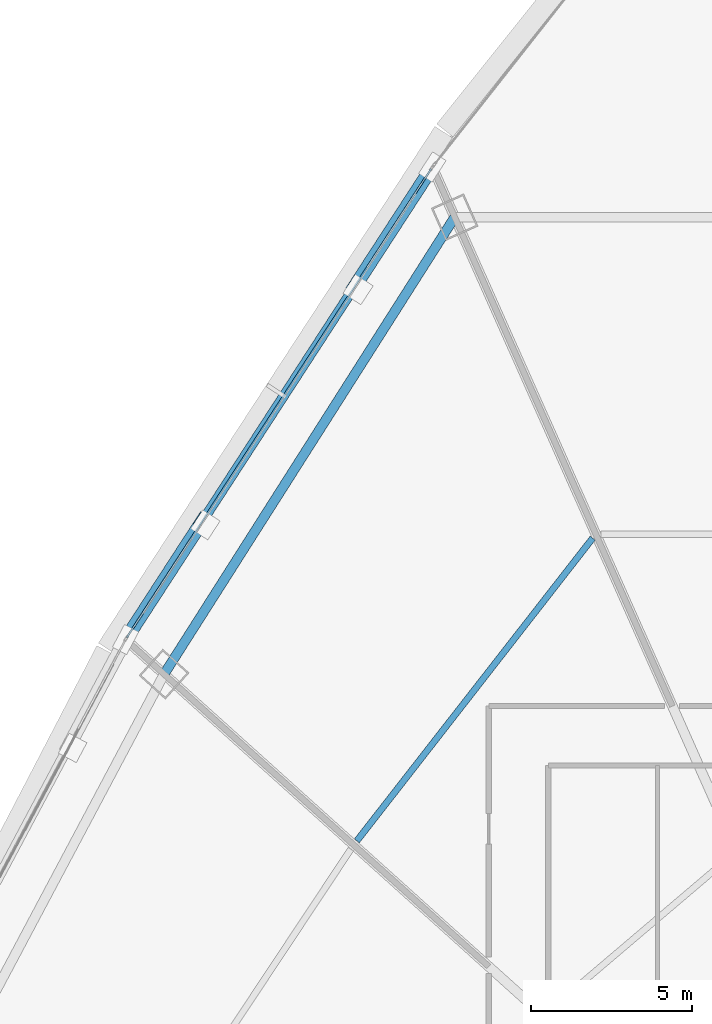
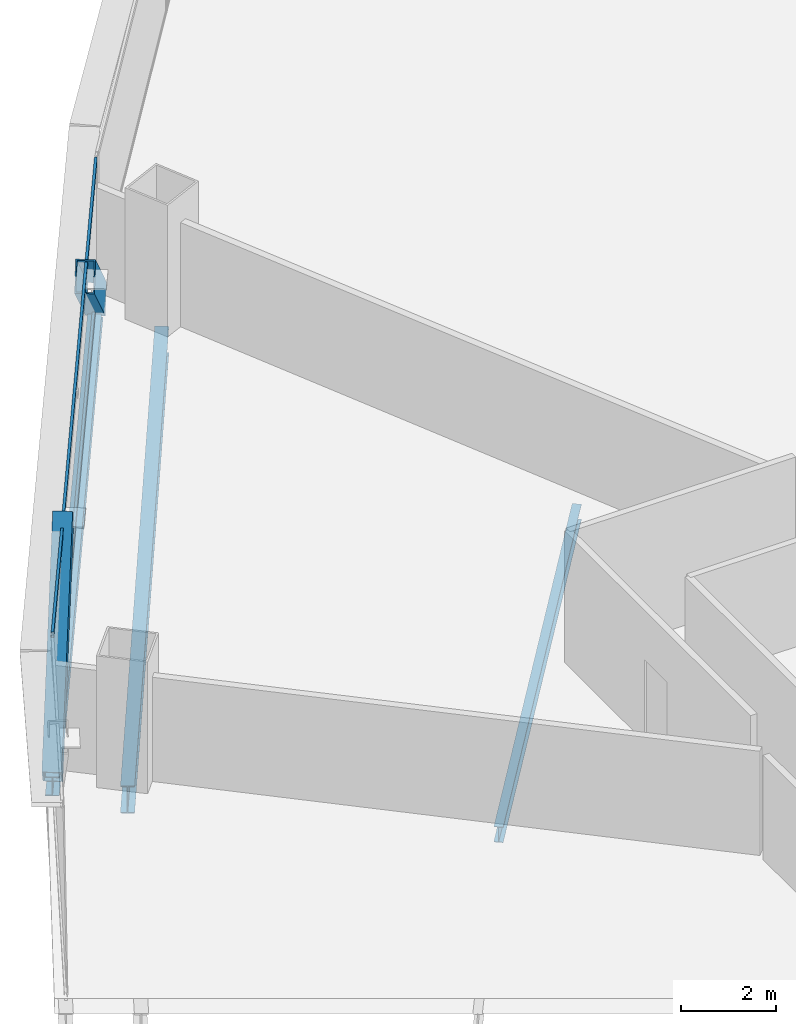
# One storey, part 17 of 42: 4 members, 3 beams, 1 element without a shape of its own.
"""IFC4 building model written with IfcOpenShell, lengths in metres."""

import ifcopenshell
import ifcopenshell.guid

model = None  # the IFC model being written
_history = None  # IfcOwnerHistory: only IFC2X3 demands one
_inside = {}  # id of a spatial element -> (the spatial element, [elements in it])
_under = {}  # id of a project, library or spatial element -> (it, [spatial elements below it])
_declared = {}  # id of a project -> (the project, [libraries it declares])
_typed = {}  # id of a type object -> (the type object, [elements of that type])
_made_of = {}  # id of a material, layer set ... -> (it, [elements and type objects made of it])


def new_model(schema):
    """Start an empty IFC model of exactly this schema.

    Asked for "IFC4X3", IfcOpenShell would pick the latest addendum, in which some entities
    have other attributes; the version numbers below select the first issue.
    IFC2X3 requires an IfcOwnerHistory on every rooted entity: one is made here for all.
    """
    global model, _history
    if schema == "IFC4X3":
        model = ifcopenshell.file(schema_version=(4, 3, 0, 0))
    else:
        model = ifcopenshell.file(schema=schema)
    _inside.clear()
    _under.clear()
    _declared.clear()
    _typed.clear()
    _made_of.clear()
    _history = None
    if model.schema == "IFC2X3":
        org = make("IfcOrganization", Name="unknown")
        user = make(
            "IfcPersonAndOrganization",
            ThePerson=make("IfcPerson", FamilyName="unknown"),
            TheOrganization=org,
        )
        app = make(
            "IfcApplication",
            ApplicationDeveloper=org,
            Version="unknown",
            ApplicationFullName="unknown",
            ApplicationIdentifier="unknown",
        )
        _history = make(
            "IfcOwnerHistory",
            OwningUser=user,
            OwningApplication=app,
            ChangeAction="ADDED",
            CreationDate=0,
        )
    return model


def make(cls, **values):
    """One entity of the class cls with the attributes given. An attribute that is None is left unset."""
    return model.create_entity(
        cls, **{name: value for name, value in values.items() if value is not None}
    )


def rooted(cls, **values):
    """An entity with a GlobalId (a new one), such as an element, a storey or a relation."""
    return make(cls, GlobalId=ifcopenshell.guid.new(), OwnerHistory=_history, **values)


def si_unit(unit_type, name, prefix=None):
    """IfcSIUnit, for example si_unit("LENGTHUNIT", "METRE", prefix="MILLI")."""
    return make("IfcSIUnit", UnitType=unit_type, Prefix=prefix, Name=name)


def assignment(units):
    """IfcUnitAssignment: the units of a project."""
    return None if units is None else make("IfcUnitAssignment", Units=units)


def point(xyz):
    """IfcCartesianPoint."""
    return None if xyz is None else make("IfcCartesianPoint", Coordinates=xyz)


def direction(xyz):
    """IfcDirection."""
    return None if xyz is None else make("IfcDirection", DirectionRatios=xyz)


def frame(location, z_axis=None, x_axis=None):
    """IfcAxis2Placement3D, a coordinate frame: its origin and axes. An axis left out is left unset."""
    return make(
        "IfcAxis2Placement3D",
        Location=point(location),
        Axis=direction(z_axis),
        RefDirection=direction(x_axis),
    )


def frame_2d(location, x_axis=None):
    """IfcAxis2Placement2D, a coordinate frame in the plane: its origin and x axis."""
    return make(
        "IfcAxis2Placement2D", Location=point(location), RefDirection=direction(x_axis)
    )


def origin():
    """The frame at (0, 0, 0) with its axes left unset."""
    return frame((0.0, 0.0, 0.0))


def origin_2d():
    """The frame at (0, 0) in the plane with its x axis left unset."""
    return frame_2d((0.0, 0.0))


def place(relative_to, where):
    """IfcLocalPlacement: puts the frame where relative to a parent placement (None: the world)."""
    return make(
        "IfcLocalPlacement", PlacementRelTo=relative_to, RelativePlacement=where
    )


def context(
    kind, dimensions, precision=None, world=None, true_north=None, identifier=None
):
    """IfcGeometricRepresentationContext, for example the 3D "Model" context."""
    return make(
        "IfcGeometricRepresentationContext",
        ContextIdentifier=identifier,
        ContextType=kind,
        CoordinateSpaceDimension=dimensions,
        Precision=precision,
        WorldCoordinateSystem=world,
        TrueNorth=true_north,
    )


def subcontext(parent, identifier, kind, view, scale=None):
    """IfcGeometricRepresentationSubContext, for example "Body" below "Model"."""
    return make(
        "IfcGeometricRepresentationSubContext",
        ContextIdentifier=identifier,
        ContextType=kind,
        ParentContext=parent,
        TargetScale=scale,
        TargetView=view,
    )


def project(units=None, contexts=None):
    """IfcProject with its units and contexts."""
    return rooted(
        "IfcProject",
        Name="project",
        RepresentationContexts=contexts,
        UnitsInContext=assignment(units),
    )


def spatial(cls, under=None, at=None, **own):
    """A site, building, storey or space (cls), placed at a placement, below another one or the project."""
    s = rooted(cls, ObjectPlacement=at, **own)
    if under is not None:
        _under.setdefault(under.id(), (under, []))[1].append(s)
    return s


def profile(cls, at=None, kind="AREA", **sizes):
    """A parametric profile (cls). Its sizes go by their IFC names, for example OverallWidth=200.0."""
    return make(cls, ProfileType=kind, Position=at, **sizes)


def hollow_rectangle(**sizes):
    """IfcRectangleHollowProfileDef."""
    return profile("IfcRectangleHollowProfileDef", **sizes)


def i_section(**sizes):
    """IfcIShapeProfileDef."""
    return profile("IfcIShapeProfileDef", **sizes)


def extrude(swept, where, along, depth):
    """IfcExtrudedAreaSolid: the profile swept, set in the frame where, extruded along a direction by depth."""
    return make(
        "IfcExtrudedAreaSolid",
        SweptArea=swept,
        Position=where,
        ExtrudedDirection=direction(along),
        Depth=depth,
    )


def shape(context_of_items, identifier, shape_type, items):
    """IfcShapeRepresentation: the items that make up one representation, for example the "Body"."""
    return make(
        "IfcShapeRepresentation",
        ContextOfItems=context_of_items,
        RepresentationIdentifier=identifier,
        RepresentationType=shape_type,
        Items=items,
    )


def source(mapping_origin, context_of_items, identifier, shape_type, items):
    """IfcRepresentationMap: a shape defined once, which mapped items show again and again."""
    return make(
        "IfcRepresentationMap",
        MappingOrigin=mapping_origin,
        MappedRepresentation=shape(context_of_items, identifier, shape_type, items),
    )


def transform(
    local_origin,
    x_axis=None,
    y_axis=None,
    z_axis=None,
    scale=None,
    scale2=None,
    scale3=None,
    uniform=True,
):
    """IfcCartesianTransformationOperator3D, or its non-uniform kind. x_axis, y_axis, z_axis: its Axis1, 2, 3."""
    if uniform:
        return make(
            "IfcCartesianTransformationOperator3D",
            Axis1=direction(x_axis),
            Axis2=direction(y_axis),
            LocalOrigin=point(local_origin),
            Scale=scale,
            Axis3=direction(z_axis),
        )
    return make(
        "IfcCartesianTransformationOperator3DnonUniform",
        Axis1=direction(x_axis),
        Axis2=direction(y_axis),
        LocalOrigin=point(local_origin),
        Scale=scale,
        Axis3=direction(z_axis),
        Scale2=scale2,
        Scale3=scale3,
    )


def mapped(mapping_source, mapping_target):
    """IfcMappedItem: shows the shape of a source again, moved by a transform."""
    return make(
        "IfcMappedItem", MappingSource=mapping_source, MappingTarget=mapping_target
    )


def material(Name=None, Category=None):
    """IfcMaterial."""
    return make("IfcMaterial", Name=Name, Category=Category)


def layer(
    of_material, thickness, ventilated=None, Name=None, Category=None, Priority=None
):
    """IfcMaterialLayer: one layer of a wall or slab, of a material (None: an air gap)."""
    return make(
        "IfcMaterialLayer",
        Material=of_material,
        LayerThickness=thickness,
        IsVentilated=ventilated,
        Name=Name,
        Category=Category,
        Priority=Priority,
    )


def layer_set(layers, Name=None):
    """IfcMaterialLayerSet."""
    return make("IfcMaterialLayerSet", MaterialLayers=layers, LayerSetName=Name)


def material_profile(
    of_material, cross_section, Name=None, Category=None, Priority=None
):
    """IfcMaterialProfile: a cross section and its material."""
    return make(
        "IfcMaterialProfile",
        Name=Name,
        Material=of_material,
        Profile=cross_section,
        Priority=Priority,
        Category=Category,
    )


def profile_set(profiles, Name=None, composite=None):
    """IfcMaterialProfileSet."""
    return make(
        "IfcMaterialProfileSet",
        Name=Name,
        MaterialProfiles=profiles,
        CompositeProfile=composite,
    )


def made_of(thing, what):
    """Note that an element or type object is made of a material, layer set ...; save() writes the relation."""
    if what is not None:
        _made_of.setdefault(what.id(), (what, []))[1].append(thing)
    return thing


def type_object(cls, material=None, **own):
    """A type object (cls), such as IfcWallType, which elements share."""
    return made_of(rooted(cls, **own), material)


def element(
    cls,
    number,
    at=None,
    inside=None,
    cuts=None,
    type_object=None,
    material=None,
    context=None,
    identifier="Body",
    shape_type=None,
    held_by="IfcProductDefinitionShape",
    body=None,
    shapes=None,
    **own,
):
    """One element of the class cls, such as IfcWall. Its Tag is "e" and its number.

    at: its placement. inside: the storey or other place that contains it. cuts: it is an
    opening in that element (IfcRelVoidsElement). A single representation is given by context,
    identifier, shape_type and body (its items); several are given by shapes. held_by: the class
    of the entity that holds the representations. save() writes the other relations.
    """
    e = rooted(cls, Tag="e%d" % number, ObjectPlacement=at, **own)
    if body is not None:
        shapes = [shape(context, identifier, shape_type, body)]
    if shapes is not None:
        e.Representation = make(held_by, Representations=shapes)
    if inside is not None:
        _inside.setdefault(inside.id(), (inside, []))[1].append(e)
    if cuts is not None:
        rooted(
            "IfcRelVoidsElement", RelatingBuildingElement=cuts, RelatedOpeningElement=e
        )
    if type_object is not None:
        _typed.setdefault(type_object.id(), (type_object, []))[1].append(e)
    return made_of(e, material)


def aggregate(whole, parts):
    """IfcRelAggregates: a whole, such as a stair, and the parts it consists of."""
    return rooted("IfcRelAggregates", RelatingObject=whole, RelatedObjects=parts)


def save(model, path):
    """Write the relations noted so far, then the file.

    IfcRelAggregates (storeys below a building ...), IfcRelContainedInSpatialStructure (elements
    in a storey), IfcRelDefinesByType, IfcRelAssociatesMaterial and IfcRelDeclares: one each for
    every whole, place, type object, material and project.
    """
    for whole, parts in _under.values():
        aggregate(whole, parts)
    for where, things in _inside.values():
        rooted(
            "IfcRelContainedInSpatialStructure",
            RelatedElements=things,
            RelatingStructure=where,
        )
    for kind, things in _typed.values():
        rooted("IfcRelDefinesByType", RelatedObjects=things, RelatingType=kind)
    for what, things in _made_of.values():
        rooted("IfcRelAssociatesMaterial", RelatedObjects=things, RelatingMaterial=what)
    for by, libraries in _declared.values():
        rooted("IfcRelDeclares", RelatingContext=by, RelatedDefinitions=libraries)
    model.write(path)


model = new_model("IFC4")

# Units and contexts
model_context = context("Model", 3, precision=1e-05, world=origin(), true_north=direction((0.0, 1.0)))
body_context = subcontext(model_context, "Body", "Model", "MODEL_VIEW")
ifc_project = project(units=[si_unit("LENGTHUNIT", "METRE"), si_unit("AREAUNIT", "SQUARE_METRE"), si_unit("VOLUMEUNIT", "CUBIC_METRE"), si_unit("PLANEANGLEUNIT", "RADIAN"), si_unit("MASSUNIT", "GRAM", prefix="KILO"), si_unit("THERMODYNAMICTEMPERATUREUNIT", "KELVIN"), si_unit("POWERUNIT", "WATT")], contexts=[model_context])

# Site, building, storey
site_placement = place(None, origin())
site = spatial("IfcSite", under=ifc_project, at=site_placement, CompositionType="ELEMENT")
building_placement = place(site_placement, origin())
building = spatial("IfcBuilding", under=site, at=building_placement, Name="Yunzhuo Pagoda Commons", CompositionType="ELEMENT")
storey_placement = place(building_placement, frame((0.0, 0.0, 48.550048828125)))
storey = spatial("IfcBuildingStorey", under=building, at=storey_placement, Name="L12", CompositionType="ELEMENT", Elevation=48.550048828125)

# Beams
ifc_material_1 = material(Name="Structural steel Q355B", Category="steel")
ifc_material_profile_1 = material_profile(ifc_material_1, i_section(OverallWidth=0.300048828125, OverallDepth=0.699951171875, WebThickness=0.012939453125, FlangeThickness=0.02392578125, at=origin_2d()), Name="Structural steel Q355B")
ifc_profile_set_1 = profile_set([ifc_material_profile_1], Name="Structural steel Q355B")
beam_type_1 = type_object("IfcBeamType", Name="B-RG1 Beam HN 700x300x13x24", PredefinedType="BEAM", material=ifc_profile_set_1)
shared_shape_1 = source(origin(), body_context, "Body", "SweptSolid", [
    extrude(i_section(OverallWidth=0.300048828125, OverallDepth=0.699951171875, WebThickness=0.012939453125, FlangeThickness=0.02392578125, at=origin_2d()), origin(), (0.0, 0.0, 1.0), 16.843994140625),
])
beam_1_placement = place(storey_placement, frame((31.38916015625, 71.008544921875, -0.610107421875), z_axis=(-0.536558458992, -0.843863152462, 0.0), x_axis=(0.843863152462, -0.536558458992, 0.0)))
element("IfcBeam", 1, at=beam_1_placement, inside=storey, type_object=beam_type_1, Name="L12 column-ring beam 9", PredefinedType="BEAM", context=body_context, shape_type="MappedRepresentation", body=[
    mapped(shared_shape_1, transform((0.0, 0.0, 0.0), scale=1.0)),
])
ifc_material_profile_2 = material_profile(ifc_material_1, i_section(OverallWidth=0.199951171875, OverallDepth=0.39990234375, WebThickness=0.008056640625, FlangeThickness=0.012939453125, at=origin_2d()), Name="Structural steel Q355B")
ifc_profile_set_2 = profile_set([ifc_material_profile_2], Name="Structural steel Q355B")
beam_type_2 = type_object("IfcBeamType", Name="B-JS1 Joist HN 400x200x8x13", PredefinedType="JOIST", material=ifc_profile_set_2)
shared_shape_2 = source(origin(), body_context, "Body", "SweptSolid", [
    extrude(i_section(OverallWidth=0.199951171875, OverallDepth=0.39990234375, WebThickness=0.008056640625, FlangeThickness=0.012939453125, at=origin_2d()), origin(), (0.0, 0.0, 1.0), 11.934326171875),
])
beam_2_placement = place(storey_placement, frame((35.680908203125, 61.0244140625, -0.4599609375), z_axis=(-0.614546587023, -0.788880531119, 0.0), x_axis=(0.788880531119, -0.614546587023, 0.0)))
element("IfcBeam", 2, at=beam_2_placement, inside=storey, type_object=beam_type_2, Name="L12 composite ring joist 2.9", PredefinedType="JOIST", context=body_context, shape_type="MappedRepresentation", body=[
    mapped(shared_shape_2, transform((0.0, 0.0, 0.0), scale=1.0)),
])
ifc_material_profile_3 = material_profile(ifc_material_1, i_section(OverallWidth=0.300048828125, OverallDepth=0.488037109375, WebThickness=0.010986328125, FlangeThickness=0.01806640625, at=origin_2d()), Name="Structural steel Q355B")
ifc_profile_set_3 = profile_set([ifc_material_profile_3], Name="Structural steel Q355B")
beam_type_3 = type_object("IfcBeamType", Name="B-SP1 Beam HM 488x300x11x18", PredefinedType="BEAM", material=ifc_profile_set_3)
shared_shape_3 = source(origin(), body_context, "Body", "SweptSolid", [
    extrude(i_section(OverallWidth=0.300048828125, OverallDepth=0.488037109375, WebThickness=0.010986328125, FlangeThickness=0.01806640625, at=origin_2d()), origin(), (0.0, 0.0, 1.0), 17.521728515625),
])
beam_3_placement = place(storey_placement, frame((30.694580078125, 72.56884765625, -0.504150390625), z_axis=(-0.544582276672, -0.838707424514, 0.0), x_axis=(0.838707424514, -0.544582276672, 0.0)))
element("IfcBeam", 3, at=beam_3_placement, inside=storey, type_object=beam_type_3, Name="L12 facade edge spandrel beam F3.1", PredefinedType="BEAM", context=body_context, shape_type="MappedRepresentation", body=[
    mapped(shared_shape_3, transform((0.0, 0.0, 0.0), scale=1.0)),
])

# Members
ifc_material_2 = material(Name="Structural steel Q420B", Category="steel")
ifc_material_profile_4 = material_profile(ifc_material_2, hollow_rectangle(XDim=0.419921875, YDim=0.719970703125, WallThickness=0.028076171875, at=origin_2d()), Name="Structural steel Q420B")
ifc_profile_set_4 = profile_set([ifc_material_profile_4], Name="Structural steel Q420B")
member_type_1 = type_object("IfcMemberType", Name="M-DL1 Brace BOX 720x420x28", PredefinedType="BRACE", material=ifc_profile_set_4)
shared_shape_4 = source(origin(), body_context, "Body", "SweptSolid", [
    extrude(hollow_rectangle(XDim=0.419921875, YDim=0.719970703125, WallThickness=0.028076171875, at=origin_2d()), origin(), (0.0, 0.0, 1.0), 5.68896484375),
])
member_1_placement = place(storey_placement, frame((21.152587890625, 57.873291015625, -0.260009765625), z_axis=(0.419324490992, 0.645788040165, 0.638063302842), x_axis=(-0.838703292145, 0.544588640852, 0.0)))
element("IfcMember", 4, at=member_1_placement, inside=storey, type_object=member_type_1, Name="L12 facade diamond brace F3.1R", PredefinedType="BRACE", context=body_context, shape_type="MappedRepresentation", body=[
    mapped(shared_shape_4, transform((0.0, 0.0, 0.0), scale=1.0)),
])
shared_shape_5 = source(origin(), body_context, "Body", "SweptSolid", [
    extrude(hollow_rectangle(XDim=0.419921875, YDim=0.719970703125, WallThickness=0.028076171875, at=origin_2d()), origin(), (0.0, 0.0, 1.0), 5.688720703125),
])
member_2_placement = place(storey_placement, frame((30.694580078125, 72.56884765625, -0.260009765625), z_axis=(-0.419336112302, -0.64576302137, 0.638080986358), x_axis=(0.838686761219, -0.544614098749, 0.0)))
element("IfcMember", 5, at=member_2_placement, inside=storey, type_object=member_type_1, Name="L12 facade diamond brace F3.1L", PredefinedType="BRACE", context=body_context, shape_type="MappedRepresentation", body=[
    mapped(shared_shape_5, transform((0.0, 0.0, 0.0), scale=1.0)),
])

# Curtain wall, members
ifc_material_3 = material(Name="Anodized aluminium 6063-T6", Category="aluminium")
ifc_layer = layer(ifc_material_3, 0.1650390625)
ifc_layer_set = layer_set([ifc_layer], Name="Anodized aluminium 6063-T6")
curtain_wall_type = type_object("IfcCurtainWallType", Name="CW-LOW Low-Zone Ribbon Curtain Wall", PredefinedType="NOTDEFINED", material=ifc_layer_set)
curtain_wall_placement = place(storey_placement, origin())
curtain_wall = element("IfcCurtainWall", 6, at=curtain_wall_placement, inside=storey, type_object=curtain_wall_type, Name="L12 curtain wall CW-L12-F3B2", PredefinedType="NOTDEFINED")
ifc_material_profile_5 = material_profile(ifc_material_3, hollow_rectangle(XDim=0.06005859375, YDim=0.139892578125, WallThickness=0.00341796875, at=origin_2d()), Name="Anodized aluminium 6063-T6")
ifc_profile_set_5 = profile_set([ifc_material_profile_5], Name="Anodized aluminium 6063-T6")
member_type_2 = type_object("IfcMemberType", Name="CW-LOW-T Transom RHS 140x60x3.5", PredefinedType="USERDEFINED", material=ifc_profile_set_5)
shared_shape_6 = source(origin(), body_context, "Body", "SweptSolid", [
    extrude(hollow_rectangle(XDim=0.06005859375, YDim=0.139892578125, WallThickness=0.00341796875, at=origin_2d()), origin(), (0.0, 0.0, 1.0), 17.391357421875),
])
member_3_placement = place(storey_placement, frame((30.6591796875, 72.514404296875, 0.030029296875), z_axis=(-0.544591079988, -0.838701708355, 0.0), x_axis=(0.838701708355, -0.544591079988, 0.0)))
member_3 = element("IfcMember", 7, at=member_3_placement, type_object=member_type_2, Name="CW transom 1.1", ObjectType="TRANSOM", PredefinedType="USERDEFINED", context=body_context, shape_type="MappedRepresentation", body=[
    mapped(shared_shape_6, transform((0.0, 0.0, 0.0), scale=1.0)),
])
member_4_placement = place(storey_placement, frame((30.6591796875, 72.514404296875, 3.33984375), z_axis=(-0.544591079988, -0.838701708355, 0.0), x_axis=(0.838701708355, -0.544591079988, 0.0)))
member_4 = element("IfcMember", 8, at=member_4_placement, type_object=member_type_2, Name="CW transom 1.2", ObjectType="TRANSOM", PredefinedType="USERDEFINED", context=body_context, shape_type="MappedRepresentation", body=[
    mapped(shared_shape_6, transform((0.0, 0.0, 0.0), scale=1.0)),
])
aggregate(curtain_wall, [member_3, member_4])

save(model, "model.ifc")
